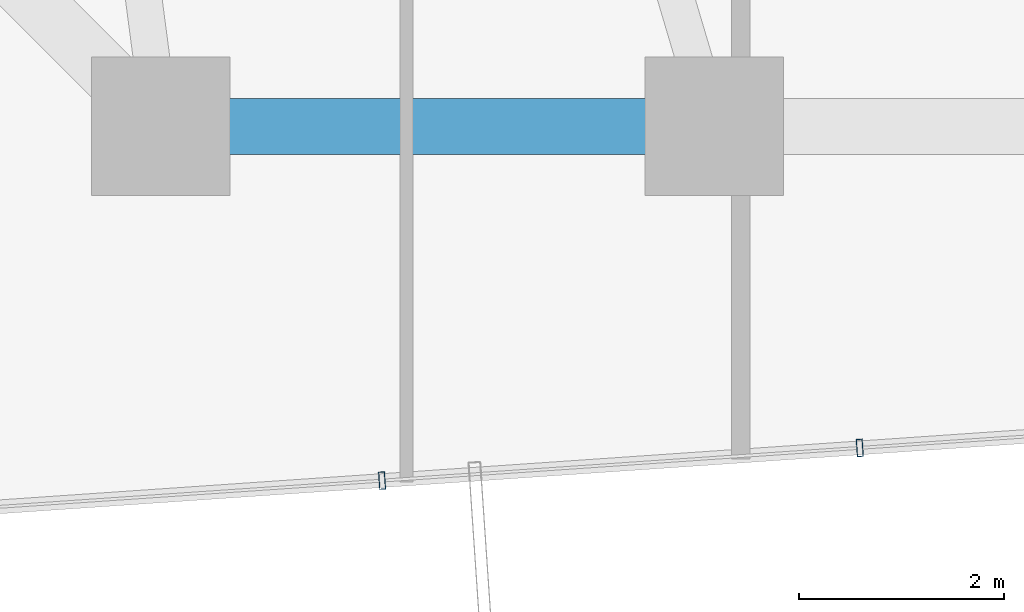
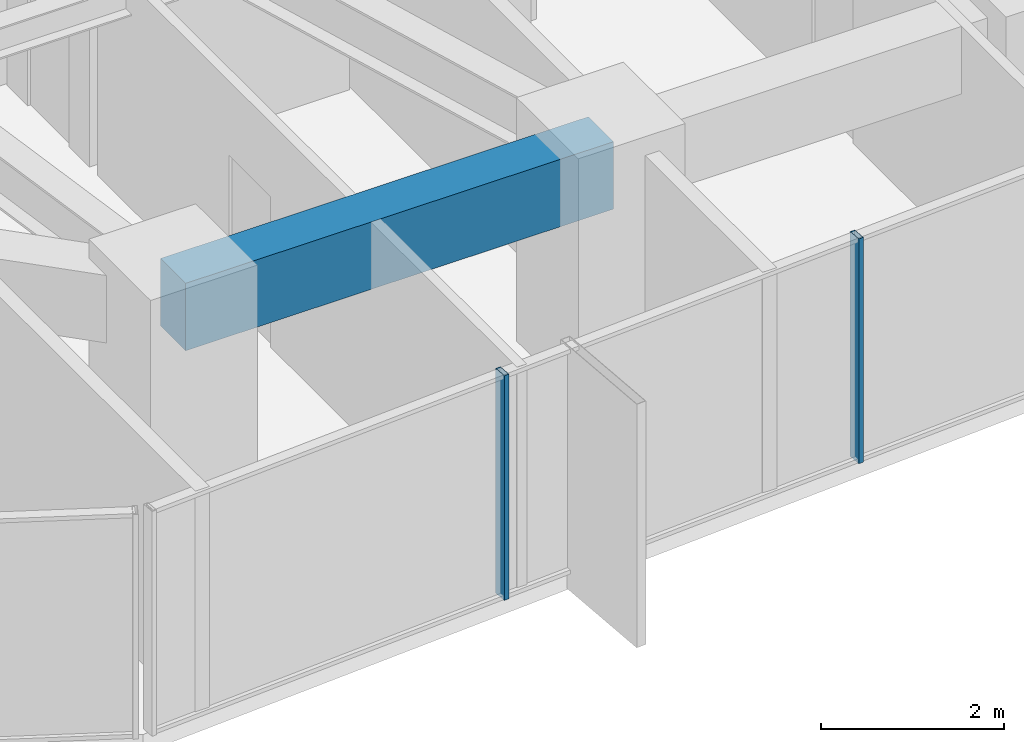
# One storey, part 6 of 37: 2 members, 1 beam, 1 element without a shape of its own.
"""IFC4 building model written with IfcOpenShell, lengths in metres."""

from ifc_helpers import new_model, si_unit, direction, frame, origin, origin_2d, place, context, subcontext, project, spatial, rectangle, hollow_rectangle, extrude, source, transform, mapped, material, layer, layer_set, material_profile, profile_set, type_object, element, aggregate, save


model = new_model("IFC4")

# Units and contexts
model_context = context("Model", 3, precision=1e-05, world=origin(), true_north=direction((0.0, 1.0)))
body_context = subcontext(model_context, "Body", "Model", "MODEL_VIEW")
ifc_project = project(units=[si_unit("LENGTHUNIT", "METRE"), si_unit("AREAUNIT", "SQUARE_METRE"), si_unit("VOLUMEUNIT", "CUBIC_METRE"), si_unit("PLANEANGLEUNIT", "RADIAN"), si_unit("MASSUNIT", "GRAM", prefix="KILO")], contexts=[model_context])

# Site, building, storey
site_placement = place(None, origin())
site = spatial("IfcSite", under=ifc_project, at=site_placement, CompositionType="ELEMENT")
building_placement = place(site_placement, origin())
building = spatial("IfcBuilding", under=site, at=building_placement, Name="Veraguas Prism Commons", CompositionType="ELEMENT")
storey_placement = place(building_placement, frame((0.0, 0.0, 37.050048828125)))
storey = spatial("IfcBuildingStorey", under=building, at=storey_placement, Name="L09", CompositionType="ELEMENT", Elevation=37.050048828125)

# Beam
ifc_material_1 = material(Name="Concrete C50/60", Category="concrete")
ifc_material_profile_1 = material_profile(ifc_material_1, rectangle(XDim=0.550048828125, YDim=0.89990234375, at=origin_2d()), Name="RC550X900")
ifc_profile_set_1 = profile_set([ifc_material_profile_1], Name="Concrete C50/60")
beam_type = type_object("IfcBeamType", Name="Perimeter Spandrel Lower RC 550x900", PredefinedType="SPANDREL", material=ifc_profile_set_1)
beam_placement = place(storey_placement, frame((18.60009765625, 6.39990234375, 2.550048828125), z_axis=(1.0, 0.0, 0.0), x_axis=(0.0, 1.0, 0.0)))
element("IfcBeam", 1, at=beam_placement, inside=storey, type_object=beam_type, Name="Perimeter Spandrel Beam L09-SP10", PredefinedType="SPANDREL", context=body_context, shape_type="SweptSolid", body=[
    extrude(rectangle(XDim=0.550048828125, YDim=0.89990234375, at=origin_2d()), origin(), (0.0, 0.0, 1.0), 5.39990234375),
])

# Curtain wall, members
ifc_material_2 = material(Name="Anodised aluminium EN AW-6063 T6", Category="aluminium")
ifc_layer = layer(ifc_material_2, 0.169921875, Name="Unitised Flush Curtain Wall Zone 1", Category="aluminium")
ifc_layer_set = layer_set([ifc_layer], Name="Anodised aluminium EN AW-6063 T6")
curtain_wall_type = type_object("IfcCurtainWallType", Name="Unitised Flush Curtain Wall Zone 1", PredefinedType="NOTDEFINED", material=ifc_layer_set)
curtain_wall_placement = place(storey_placement, origin())
curtain_wall = element("IfcCurtainWall", 2, at=curtain_wall_placement, inside=storey, type_object=curtain_wall_type, Name="Tower Facade Curtain Wall L09-F5", PredefinedType="NOTDEFINED")
ifc_material_profile_2 = material_profile(ifc_material_2, hollow_rectangle(XDim=0.06005859375, YDim=0.169921875, WallThickness=0.00390625, at=origin_2d()), Name="AL60X170X4")
ifc_profile_set_2 = profile_set([ifc_material_profile_2], Name="Anodised aluminium EN AW-6063 T6")
member_type = type_object("IfcMemberType", Name="Curtain Wall Mullion Lower AL 60x170x4", PredefinedType="MULLION", material=ifc_profile_set_2)
shared_shape = source(origin(), body_context, "Body", "SweptSolid", [
    extrude(hollow_rectangle(XDim=0.06005859375, YDim=0.169921875, WallThickness=0.00390625, at=origin_2d()), origin(), (0.0, 0.0, 1.0), 3.0),
])
member_1_placement = place(storey_placement, frame((20.760986328125, 2.94482421875, 0.0), z_axis=(0.0, 0.0, 1.0), x_axis=(0.997660476238, 0.068363544026, 0.0)))
member_1 = element("IfcMember", 3, at=member_1_placement, type_object=member_type, Name="CW-Z1 Mullion 2", PredefinedType="MULLION", context=body_context, shape_type="MappedRepresentation", body=[
    mapped(shared_shape, transform((0.0, 0.0, 0.0), scale=1.0)),
])
member_2_placement = place(storey_placement, frame((25.4208984375, 3.26416015625, 0.0), z_axis=(0.0, 0.0, 1.0), x_axis=(0.997660476238, 0.068363544026, 0.0)))
member_2 = element("IfcMember", 4, at=member_2_placement, type_object=member_type, Name="CW-Z1 Mullion 3", PredefinedType="MULLION", context=body_context, shape_type="MappedRepresentation", body=[
    mapped(shared_shape, transform((0.0, 0.0, 0.0), scale=1.0)),
])
aggregate(curtain_wall, [member_1, member_2])

save(model, "model.ifc")
